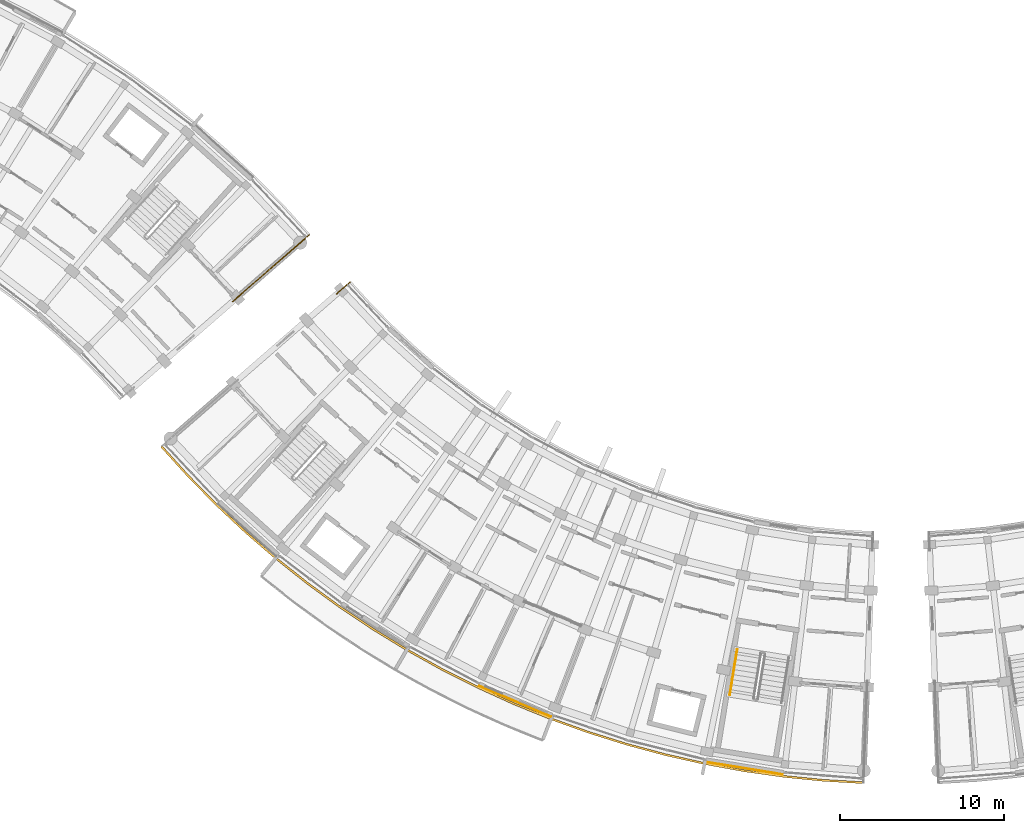
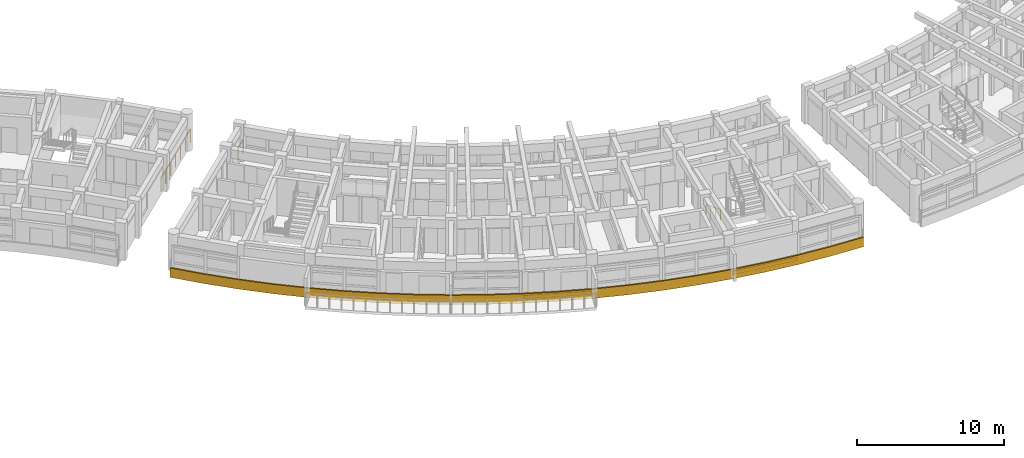
# One storey, part 47 of 55: 4 railings, 2 coverings.
"""IFC4 building model written with IfcOpenShell, lengths in metres."""

from ifc_helpers import new_model, si_unit, direction, frame, origin, origin_2d, place, context, subcontext, project, spatial, polyline, rectangle, circle, outline, extrude, material, layer, layer_set, type_object, element, save


model = new_model("IFC4")

# Units and contexts
model_context = context("Model", 3, precision=1e-05, world=origin(), true_north=direction((0.0, 1.0)))
body_context = subcontext(model_context, "Body", "Model", "MODEL_VIEW")
ifc_project = project(units=[si_unit("LENGTHUNIT", "METRE"), si_unit("AREAUNIT", "SQUARE_METRE"), si_unit("VOLUMEUNIT", "CUBIC_METRE"), si_unit("PLANEANGLEUNIT", "RADIAN"), si_unit("MASSUNIT", "GRAM", prefix="KILO")], contexts=[model_context])

# Site, building, storey
site_placement = place(None, origin())
site = spatial("IfcSite", under=ifc_project, at=site_placement, CompositionType="ELEMENT")
building_placement = place(site_placement, origin())
building = spatial("IfcBuilding", under=site, at=building_placement, Name="Zimvara Arc Housing Community", CompositionType="ELEMENT")
storey_placement = place(building_placement, frame((0.0, 0.0, 14.300048828125)))
storey = spatial("IfcBuildingStorey", under=building, at=storey_placement, Name="L04", CompositionType="ELEMENT", Elevation=14.300048828125)

# Coverings
ifc_material_1 = material(Name="Pale-Gold Anodised Aluminium Cladding", Category="aluminium")
ifc_layer_1 = layer(ifc_material_1, 0.0400390625)
ifc_layer_set_1 = layer_set([ifc_layer_1], Name="Pale-Gold Anodised Aluminium Cladding")
covering_type_1 = type_object("IfcCoveringType", Name="CLD-GOLD-01", PredefinedType="CLADDING", material=ifc_layer_set_1)
covering_1_placement = place(storey_placement, frame((116.45166015625, 51.160888671875, 0.009765625), z_axis=(0.0, 0.0, 1.0), x_axis=(0.987080395872, -0.160225753504, 0.0)))
element("IfcCovering", 1, at=covering_1_placement, inside=storey, type_object=covering_type_1, Name="cld:blkC:L04:out:b8", PredefinedType="CLADDING", context=body_context, shape_type="SweptSolid", body=[
    extrude(rectangle(XDim=4.748779296875, YDim=0.0400390625, at=origin_2d()), origin(), (0.0, 0.0, 1.0), 0.300048828125),
])
ifc_material_2 = material(Name="Pale-Gold Anodised Aluminium Cladding", Category="aluminium")
ifc_layer_2 = layer(ifc_material_2, 0.044921875)
ifc_layer_set_2 = layer_set([ifc_layer_2], Name="Pale-Gold Anodised Aluminium Cladding")
covering_type_2 = type_object("IfcCoveringType", Name="CLD-GOLD-02", PredefinedType="CLADDING", material=ifc_layer_set_2)
covering_2_placement = place(storey_placement, frame((102.4990234375, 55.23291015625, 0.009765625), z_axis=(0.0, 0.0, 1.0), x_axis=(0.918721611116, -0.394905813161, 0.0)))
element("IfcCovering", 2, at=covering_2_placement, inside=storey, type_object=covering_type_2, Name="cld:blkC:L04:out:b5", PredefinedType="CLADDING", context=body_context, shape_type="SweptSolid", body=[
    extrude(rectangle(XDim=4.748779296875, YDim=0.044921875, at=origin_2d()), origin(), (0.0, 0.0, 1.0), 0.300048828125),
])

# Railings
ifc_material_3 = material(Name="Anodised Aluminium AW-6063", Category="aluminium")
railing_type_1 = type_object("IfcRailingType", Name="RLG-BAL-1150", PredefinedType="BALUSTRADE", material=ifc_material_3)
railing_1_placement = place(storey_placement, frame((85.331787109375, 79.559814453125, 0.0)))
element("IfcRailing", 3, at=railing_1_placement, inside=storey, type_object=railing_type_1, Name="rlg:blkB:L04:gable_out:gN", PredefinedType="BALUSTRADE", context=body_context, shape_type="SweptSolid", body=[
    extrude(circle(Radius=0.02392578125, at=origin_2d()), frame((0.0, 0.0, 1.1259765625), z_axis=(0.754708757217, 0.656059975749, 0.0), x_axis=(-0.656059975749, 0.754708757217, 0.0)), (0.0, 0.0, 1.0), 6.159912109375),
    extrude(circle(Radius=0.02099609375, at=origin_2d()), origin(), (0.0, 0.0, 1.0), 1.101806640625),
    extrude(circle(Radius=0.02099609375, at=origin_2d()), frame((0.77490234375, 0.673583984375, 0.0)), (0.0, 0.0, 1.0), 1.101806640625),
    extrude(circle(Radius=0.02099609375, at=origin_2d()), frame((1.549560546875, 1.34716796875, 0.0)), (0.0, 0.0, 1.0), 1.101806640625),
    extrude(circle(Radius=0.02099609375, at=origin_2d()), frame((2.324462890625, 2.0205078125, 0.0)), (0.0, 0.0, 1.0), 1.101806640625),
    extrude(circle(Radius=0.02099609375, at=origin_2d()), frame((3.099365234375, 2.694091796875, 0.0)), (0.0, 0.0, 1.0), 1.101806640625),
    extrude(circle(Radius=0.02099609375, at=origin_2d()), frame((3.8740234375, 3.36767578125, 0.0)), (0.0, 0.0, 1.0), 1.101806640625),
    extrude(circle(Radius=0.02099609375, at=origin_2d()), frame((4.64892578125, 4.041259765625, 0.0)), (0.0, 0.0, 1.0), 1.101806640625),
])
railing_2_placement = place(storey_placement, frame((92.470947265625, 80.73095703125, 0.0)))
element("IfcRailing", 4, at=railing_2_placement, inside=storey, type_object=railing_type_1, Name="rlg:blkC:L04:gable_in:g0", PredefinedType="BALUSTRADE", context=body_context, shape_type="SweptSolid", body=[
    extrude(circle(Radius=0.02392578125, at=origin_2d()), frame((0.0, 0.0, 1.1259765625), z_axis=(-0.75477095777, -0.655988415528, 0.0), x_axis=(0.655988415528, -0.75477095777, 0.0)), (0.0, 0.0, 1.0), 1.080078125),
    extrude(circle(Radius=0.02099609375, at=origin_2d()), origin(), (0.0, 0.0, 1.0), 1.101806640625),
    extrude(circle(Radius=0.02099609375, at=origin_2d()), frame((-0.815185546875, -0.70849609375, 0.0)), (0.0, 0.0, 1.0), 1.101806640625),
])
ifc_material_4 = material(Name="Pale-Gold Anodised Aluminium AW-6063", Category="aluminium")
railing_type_2 = type_object("IfcRailingType", Name="RLG-FAS-780", PredefinedType="BALUSTRADE", material=ifc_material_4)
railing_3_placement = place(storey_placement, frame((0.0, 0.0, -0.219970703125)))
element("IfcRailing", 5, at=railing_3_placement, inside=storey, type_object=railing_type_2, Name="rlg:blkC:L04:gold_out", PredefinedType="BALUSTRADE", context=body_context, shape_type="SweptSolid", body=[
    extrude(outline(polyline([(80.93896484375, 70.706298828125), (82.5751953125, 68.900146484375), (84.28369140625, 67.162109375), (86.061767578125, 65.4951171875), (87.906494140625, 63.90234375), (89.814697265625, 62.38623046875), (91.783203125, 60.94921875), (93.80859375, 59.59375), (95.8876953125, 58.322021484375), (98.01708984375, 57.136474609375), (100.193115234375, 56.03857421875), (102.412109375, 55.03076171875), (104.67041015625, 54.114013671875), (106.96435546875, 53.29052734375), (109.289794921875, 52.561279296875), (111.643310546875, 51.927734375), (114.0205078125, 51.390625), (116.417724609375, 50.950927734375), (118.830810546875, 50.60986328125), (121.256103515625, 50.3671875), (123.68896484375, 50.223876953125), (123.693603515625, 50.343994140625), (121.265625, 50.48681640625), (118.84521484375, 50.728759765625), (116.43701171875, 51.069580078125), (114.04443359375, 51.508056640625), (111.672119140625, 52.044189453125), (109.3232421875, 52.676513671875), (107.00244140625, 53.404296875), (104.71337890625, 54.226318359375), (102.45947265625, 55.140869140625), (100.244873046875, 56.14697265625), (98.0732421875, 57.242431640625), (95.9482421875, 58.42578125), (93.873291015625, 59.69482421875), (91.851806640625, 61.04736328125), (89.887451171875, 62.481689453125), (87.98291015625, 63.99462890625), (86.14208984375, 65.58447265625), (84.367431640625, 67.247802734375), (82.662353515625, 68.982421875), (81.029541015625, 70.78515625), (80.93896484375, 70.706298828125)])), origin(), (0.0, 0.0, 1.0), 0.780029296875),
])
ifc_material_5 = material(Name="Anodised Aluminium AW-6063", Category="aluminium")
railing_type_3 = type_object("IfcRailingType", Name="RLG-HND-900", PredefinedType="HANDRAIL", material=ifc_material_5)
railing_4_placement = place(storey_placement, frame((116.0146484375, 58.391845703125, 0.155029296875)))
element("IfcRailing", 6, at=railing_4_placement, inside=storey, type_object=railing_type_3, Name="L04 ST-C2 stair handrail 1", PredefinedType="HANDRAIL", context=body_context, shape_type="SweptSolid", body=[
    extrude(circle(Radius=0.02392578125, at=origin_2d()), frame((0.0, 0.0, 0.8759765625), z_axis=(-0.143299288836, -0.882883275458, 0.447193957625), x_axis=(0.987082674257, -0.160211716742, 0.0)), (0.0, 0.0, 1.0), 3.119384765625),
    extrude(circle(Radius=0.02099609375, at=origin_2d()), origin(), (0.0, 0.0, 1.0), 0.851806640625),
    extrude(circle(Radius=0.02099609375, at=origin_2d()), frame((-0.14892578125, -0.91796875, 0.465087890625)), (0.0, 0.0, 1.0), 0.851806640625),
    extrude(circle(Radius=0.02099609375, at=origin_2d()), frame((-0.298095703125, -1.836181640625, 0.929931640625)), (0.0, 0.0, 1.0), 0.851806640625),
    extrude(circle(Radius=0.02099609375, at=origin_2d()), frame((-0.447021484375, -2.754150390625, 1.39501953125)), (0.0, 0.0, 1.0), 0.851806640625),
])

save(model, "model.ifc")
